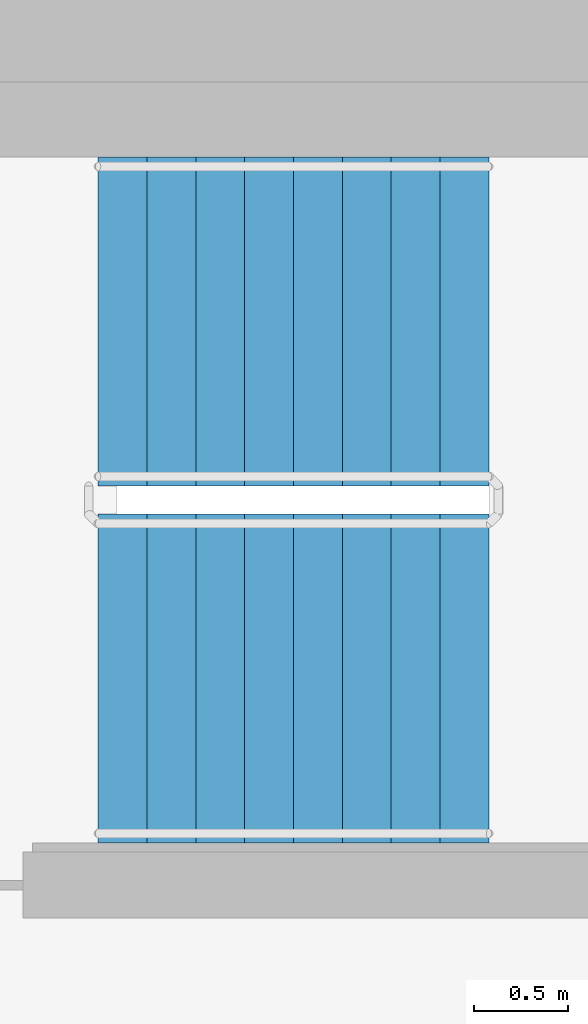
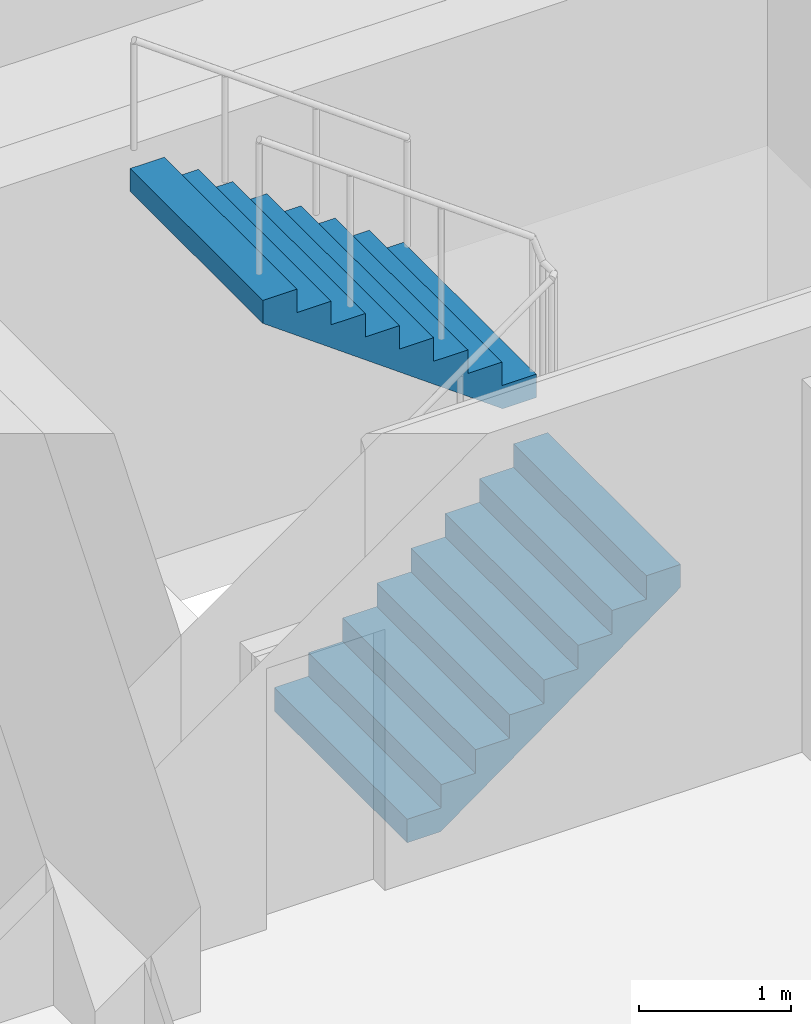
# One storey, part 13 of 18: 2 stair flights, 1 element without a shape of its own.
"""IFC4 building model written with IfcOpenShell, lengths in metres."""

from ifc_helpers import new_model, si_unit, direction, frame, origin, place, context, subcontext, project, spatial, faceted_brep, material, type_object, element, aggregate, save


model = new_model("IFC4")

# Units and contexts
model_context = context("Model", 3, precision=1e-05, world=origin(), true_north=direction((0.0, 1.0)))
body_context = subcontext(model_context, "Body", "Model", "MODEL_VIEW")
ifc_project = project(units=[si_unit("LENGTHUNIT", "METRE"), si_unit("AREAUNIT", "SQUARE_METRE"), si_unit("VOLUMEUNIT", "CUBIC_METRE"), si_unit("PLANEANGLEUNIT", "RADIAN"), si_unit("MASSUNIT", "GRAM", prefix="KILO")], contexts=[model_context])

# Site, building, storey
site_placement = place(None, origin())
site = spatial("IfcSite", under=ifc_project, at=site_placement, CompositionType="ELEMENT")
building_placement = place(site_placement, origin())
building = spatial("IfcBuilding", under=site, at=building_placement, Name="Ipe Terrace Towers", CompositionType="ELEMENT")
storey_placement = place(building_placement, frame((0.0, 0.0, 164.300048828125)))
storey = spatial("IfcBuildingStorey", under=building, at=storey_placement, Name="L45", CompositionType="ELEMENT", Elevation=164.300048828125)

# Stair, stair flights
ifc_material_1 = material(Name="Concrete C30/37", Category="concrete")
stair_type = type_object("IfcStairType", Name="Protected exit stair", PredefinedType="HALF_TURN_STAIR", material=ifc_material_1)
stair_placement = place(storey_placement, origin())
stair = element("IfcStair", 1, at=stair_placement, inside=storey, type_object=stair_type, Name="L45 Exit stair T1-C1", PredefinedType="HALF_TURN_STAIR")
ifc_material_2 = material(Name="Concrete C30/37", Category="concrete")
stair_flight_type = type_object("IfcStairFlightType", Name="Exit stair flight 1750", PredefinedType="STRAIGHT", material=ifc_material_2)
stair_flight_1_placement = place(storey_placement, frame((-26.300048828125, 2.77490234375, 0.0), z_axis=(0.0, 0.0, 1.0), x_axis=(1.0, 0.0, 0.0)))
stair_flight_1 = element("IfcStairFlight", 2, at=stair_flight_1_placement, type_object=stair_flight_type, Name="T1-ST1 flight 1", NumberOfRisers=9, NumberOfTreads=8, PredefinedType="STRAIGHT", RiserHeight=0.188888889, TreadLength=0.26, context=body_context, shape_type="Brep", body=[
    faceted_brep([(0.255126953125, -0.875, 0.0), (2.080078125, -0.875, 1.325927734375), (2.080078125, -0.875, 1.51123046875), (1.820068359375, -0.875, 1.51123046875), (1.820068359375, -0.875, 1.322265625), (1.56005859375, -0.875, 1.322265625), (1.56005859375, -0.875, 1.13330078125), (1.300048828125, -0.875, 1.13330078125), (1.300048828125, -0.875, 0.9443359375), (1.0400390625, -0.875, 0.9443359375), (1.0400390625, -0.875, 0.755615234375), (0.780029296875, -0.875, 0.755615234375), (0.780029296875, -0.875, 0.566650390625), (0.52001953125, -0.875, 0.566650390625), (0.52001953125, -0.875, 0.377685546875), (0.260009765625, -0.875, 0.377685546875), (0.260009765625, -0.875, 0.18896484375), (0.0, -0.875, 0.18896484375), (0.0, -0.875, 0.0), (0.0, 0.875, 0.0), (0.0, 0.875, 0.18896484375), (0.260009765625, 0.875, 0.18896484375), (0.260009765625, 0.875, 0.377685546875), (0.52001953125, 0.875, 0.377685546875), (0.52001953125, 0.875, 0.566650390625), (0.780029296875, 0.875, 0.566650390625), (0.780029296875, 0.875, 0.755615234375), (1.0400390625, 0.875, 0.755615234375), (1.0400390625, 0.875, 0.9443359375), (1.300048828125, 0.875, 0.9443359375), (1.300048828125, 0.875, 1.13330078125), (1.56005859375, 0.875, 1.13330078125), (1.56005859375, 0.875, 1.322265625), (1.820068359375, 0.875, 1.322265625), (1.820068359375, 0.875, 1.51123046875), (2.080078125, 0.875, 1.51123046875), (2.080078125, 0.875, 1.325927734375), (0.255126953125, 0.875, 0.0), (0.0, -0.300048828125, 0.18896484375), (0.0, -0.1201171875, 0.18896484375), (0.0, -0.06005859375, 0.18896484375), (0.0, -0.030029296875, 0.18896484375), (0.0, -0.010009765625, 0.18896484375), (0.0, 0.0, 0.18896484375), (0.0, 0.010009765625, 0.18896484375), (0.0, 0.030029296875, 0.18896484375), (0.0, 0.06005859375, 0.18896484375), (0.0, 0.1201171875, 0.18896484375), (0.0, 0.300048828125, 0.18896484375), (0.0, 0.300048828125, 0.0), (0.0, 0.1201171875, 0.0), (0.0, 0.06005859375, 0.0), (0.0, 0.030029296875, 0.0), (0.0, 0.010009765625, 0.0), (0.0, 0.0, 0.0), (0.0, -0.010009765625, 0.0), (0.0, -0.030029296875, 0.0), (0.0, -0.06005859375, 0.0), (0.0, -0.1201171875, 0.0), (0.0, -0.300048828125, 0.0), (0.260009765625, -0.300048828125, 0.18896484375), (0.260009765625, -0.1201171875, 0.18896484375), (0.260009765625, -0.06005859375, 0.18896484375), (0.260009765625, -0.030029296875, 0.18896484375), (0.260009765625, -0.010009765625, 0.18896484375), (0.260009765625, 0.0, 0.18896484375), (0.260009765625, 0.010009765625, 0.18896484375), (0.260009765625, 0.030029296875, 0.18896484375), (0.260009765625, 0.06005859375, 0.18896484375), (0.260009765625, 0.1201171875, 0.18896484375), (0.260009765625, 0.300048828125, 0.18896484375), (0.260009765625, -0.300048828125, 0.377685546875), (0.260009765625, -0.1201171875, 0.377685546875), (0.260009765625, -0.06005859375, 0.377685546875), (0.260009765625, -0.030029296875, 0.377685546875), (0.260009765625, -0.010009765625, 0.377685546875), (0.260009765625, 0.0, 0.377685546875), (0.260009765625, 0.010009765625, 0.377685546875), (0.260009765625, 0.030029296875, 0.377685546875), (0.260009765625, 0.06005859375, 0.377685546875), (0.260009765625, 0.1201171875, 0.377685546875), (0.260009765625, 0.300048828125, 0.377685546875), (0.52001953125, -0.300048828125, 0.377685546875), (0.52001953125, -0.1201171875, 0.377685546875), (0.52001953125, -0.06005859375, 0.377685546875), (0.52001953125, -0.030029296875, 0.377685546875), (0.52001953125, -0.010009765625, 0.377685546875), (0.52001953125, 0.0, 0.377685546875), (0.52001953125, 0.010009765625, 0.377685546875), (0.52001953125, 0.030029296875, 0.377685546875), (0.52001953125, 0.06005859375, 0.377685546875), (0.52001953125, 0.1201171875, 0.377685546875), (0.52001953125, 0.300048828125, 0.377685546875), (0.52001953125, -0.300048828125, 0.566650390625), (0.52001953125, -0.1201171875, 0.566650390625), (0.52001953125, -0.06005859375, 0.566650390625), (0.52001953125, -0.030029296875, 0.566650390625), (0.52001953125, -0.010009765625, 0.566650390625), (0.52001953125, 0.0, 0.566650390625), (0.52001953125, 0.010009765625, 0.566650390625), (0.52001953125, 0.030029296875, 0.566650390625), (0.52001953125, 0.06005859375, 0.566650390625), (0.52001953125, 0.1201171875, 0.566650390625), (0.52001953125, 0.300048828125, 0.566650390625), (0.780029296875, -0.300048828125, 0.566650390625), (0.780029296875, -0.1201171875, 0.566650390625), (0.780029296875, -0.06005859375, 0.566650390625), (0.780029296875, -0.030029296875, 0.566650390625), (0.780029296875, -0.010009765625, 0.566650390625), (0.780029296875, 0.0, 0.566650390625), (0.780029296875, 0.010009765625, 0.566650390625), (0.780029296875, 0.030029296875, 0.566650390625), (0.780029296875, 0.06005859375, 0.566650390625), (0.780029296875, 0.1201171875, 0.566650390625), (0.780029296875, 0.300048828125, 0.566650390625), (0.780029296875, -0.300048828125, 0.755615234375), (0.780029296875, -0.1201171875, 0.755615234375), (0.780029296875, -0.06005859375, 0.755615234375), (0.780029296875, -0.030029296875, 0.755615234375), (0.780029296875, -0.010009765625, 0.755615234375), (0.780029296875, 0.0, 0.755615234375), (0.780029296875, 0.010009765625, 0.755615234375), (0.780029296875, 0.030029296875, 0.755615234375), (0.780029296875, 0.06005859375, 0.755615234375), (0.780029296875, 0.1201171875, 0.755615234375), (0.780029296875, 0.300048828125, 0.755615234375), (1.0400390625, -0.300048828125, 0.755615234375), (1.0400390625, -0.1201171875, 0.755615234375), (1.0400390625, -0.06005859375, 0.755615234375), (1.0400390625, -0.030029296875, 0.755615234375), (1.0400390625, -0.010009765625, 0.755615234375), (1.0400390625, 0.0, 0.755615234375), (1.0400390625, 0.010009765625, 0.755615234375), (1.0400390625, 0.030029296875, 0.755615234375), (1.0400390625, 0.06005859375, 0.755615234375), (1.0400390625, 0.1201171875, 0.755615234375), (1.0400390625, 0.300048828125, 0.755615234375), (1.0400390625, -0.300048828125, 0.9443359375), (1.0400390625, -0.1201171875, 0.9443359375), (1.0400390625, -0.06005859375, 0.9443359375), (1.0400390625, -0.030029296875, 0.9443359375), (1.0400390625, -0.010009765625, 0.9443359375), (1.0400390625, 0.0, 0.9443359375), (1.0400390625, 0.010009765625, 0.9443359375), (1.0400390625, 0.030029296875, 0.9443359375), (1.0400390625, 0.06005859375, 0.9443359375), (1.0400390625, 0.1201171875, 0.9443359375), (1.0400390625, 0.300048828125, 0.9443359375), (1.300048828125, -0.300048828125, 0.9443359375), (1.300048828125, -0.1201171875, 0.9443359375), (1.300048828125, -0.06005859375, 0.9443359375), (1.300048828125, -0.030029296875, 0.9443359375), (1.300048828125, -0.010009765625, 0.9443359375), (1.300048828125, 0.0, 0.9443359375), (1.300048828125, 0.010009765625, 0.9443359375), (1.300048828125, 0.030029296875, 0.9443359375), (1.300048828125, 0.06005859375, 0.9443359375), (1.300048828125, 0.1201171875, 0.9443359375), (1.300048828125, 0.300048828125, 0.9443359375), (1.300048828125, -0.300048828125, 1.13330078125), (1.300048828125, -0.1201171875, 1.13330078125), (1.300048828125, -0.06005859375, 1.13330078125), (1.300048828125, -0.030029296875, 1.13330078125), (1.300048828125, -0.010009765625, 1.13330078125), (1.300048828125, 0.0, 1.13330078125), (1.300048828125, 0.010009765625, 1.13330078125), (1.300048828125, 0.030029296875, 1.13330078125), (1.300048828125, 0.06005859375, 1.13330078125), (1.300048828125, 0.1201171875, 1.13330078125), (1.300048828125, 0.300048828125, 1.13330078125), (1.56005859375, -0.300048828125, 1.13330078125), (1.56005859375, -0.1201171875, 1.13330078125), (1.56005859375, -0.06005859375, 1.13330078125), (1.56005859375, -0.030029296875, 1.13330078125), (1.56005859375, -0.010009765625, 1.13330078125), (1.56005859375, 0.0, 1.13330078125), (1.56005859375, 0.010009765625, 1.13330078125), (1.56005859375, 0.030029296875, 1.13330078125), (1.56005859375, 0.06005859375, 1.13330078125), (1.56005859375, 0.1201171875, 1.13330078125), (1.56005859375, 0.300048828125, 1.13330078125), (1.56005859375, -0.300048828125, 1.322265625), (1.56005859375, -0.1201171875, 1.322265625), (1.56005859375, -0.06005859375, 1.322265625), (1.56005859375, -0.030029296875, 1.322265625), (1.56005859375, -0.010009765625, 1.322265625), (1.56005859375, 0.0, 1.322265625), (1.56005859375, 0.010009765625, 1.322265625), (1.56005859375, 0.030029296875, 1.322265625), (1.56005859375, 0.06005859375, 1.322265625), (1.56005859375, 0.1201171875, 1.322265625), (1.56005859375, 0.300048828125, 1.322265625), (1.820068359375, -0.300048828125, 1.322265625), (1.820068359375, -0.1201171875, 1.322265625), (1.820068359375, -0.06005859375, 1.322265625), (1.820068359375, -0.030029296875, 1.322265625), (1.820068359375, -0.010009765625, 1.322265625), (1.820068359375, 0.0, 1.322265625), (1.820068359375, 0.010009765625, 1.322265625), (1.820068359375, 0.030029296875, 1.322265625), (1.820068359375, 0.06005859375, 1.322265625), (1.820068359375, 0.1201171875, 1.322265625), (1.820068359375, 0.300048828125, 1.322265625), (1.820068359375, -0.300048828125, 1.51123046875), (1.820068359375, -0.1201171875, 1.51123046875), (1.820068359375, -0.06005859375, 1.51123046875), (1.820068359375, -0.030029296875, 1.51123046875), (1.820068359375, -0.010009765625, 1.51123046875), (1.820068359375, 0.0, 1.51123046875), (1.820068359375, 0.010009765625, 1.51123046875), (1.820068359375, 0.030029296875, 1.51123046875), (1.820068359375, 0.06005859375, 1.51123046875), (1.820068359375, 0.1201171875, 1.51123046875), (1.820068359375, 0.300048828125, 1.51123046875), (2.080078125, -0.300048828125, 1.51123046875), (2.080078125, -0.1201171875, 1.51123046875), (2.080078125, -0.06005859375, 1.51123046875), (2.080078125, -0.030029296875, 1.51123046875), (2.080078125, -0.010009765625, 1.51123046875), (2.080078125, 0.0, 1.51123046875), (2.080078125, 0.010009765625, 1.51123046875), (2.080078125, 0.030029296875, 1.51123046875), (2.080078125, 0.06005859375, 1.51123046875), (2.080078125, 0.1201171875, 1.51123046875), (2.080078125, 0.300048828125, 1.51123046875), (2.080078125, -0.300048828125, 1.325927734375), (2.080078125, -0.1201171875, 1.325927734375), (2.080078125, -0.06005859375, 1.325927734375), (2.080078125, -0.030029296875, 1.325927734375), (2.080078125, -0.010009765625, 1.325927734375), (2.080078125, 0.0, 1.325927734375), (2.080078125, 0.010009765625, 1.325927734375), (2.080078125, 0.030029296875, 1.325927734375), (2.080078125, 0.06005859375, 1.325927734375), (2.080078125, 0.1201171875, 1.325927734375), (2.080078125, 0.300048828125, 1.325927734375), (0.255126953125, -0.300048828125, 0.0), (0.255126953125, -0.1201171875, 0.0), (0.255126953125, -0.06005859375, 0.0), (0.255126953125, -0.030029296875, 0.0), (0.255126953125, -0.010009765625, 0.0), (0.255126953125, 0.0, 0.0), (0.255126953125, 0.010009765625, 0.0), (0.255126953125, 0.030029296875, 0.0), (0.255126953125, 0.06005859375, 0.0), (0.255126953125, 0.1201171875, 0.0), (0.255126953125, 0.300048828125, 0.0)], [[[0, 1, 2, 3, 4, 5, 6, 7, 8, 9, 10, 11, 12, 13, 14, 15, 16, 17, 18]], [[19, 20, 21, 22, 23, 24, 25, 26, 27, 28, 29, 30, 31, 32, 33, 34, 35, 36, 37]], [[17, 38, 39, 40, 41, 42, 43, 44, 45, 46, 47, 48, 20, 19, 49, 50, 51, 52, 53, 54, 55, 56, 57, 58, 59, 18]], [[16, 60, 61, 62, 63, 64, 65, 66, 67, 68, 69, 70, 21, 20, 48, 47, 46, 45, 44, 43, 42, 41, 40, 39, 38, 17]], [[15, 71, 72, 73, 74, 75, 76, 77, 78, 79, 80, 81, 22, 21, 70, 69, 68, 67, 66, 65, 64, 63, 62, 61, 60, 16]], [[14, 82, 83, 84, 85, 86, 87, 88, 89, 90, 91, 92, 23, 22, 81, 80, 79, 78, 77, 76, 75, 74, 73, 72, 71, 15]], [[13, 93, 94, 95, 96, 97, 98, 99, 100, 101, 102, 103, 24, 23, 92, 91, 90, 89, 88, 87, 86, 85, 84, 83, 82, 14]], [[12, 104, 105, 106, 107, 108, 109, 110, 111, 112, 113, 114, 25, 24, 103, 102, 101, 100, 99, 98, 97, 96, 95, 94, 93, 13]], [[11, 115, 116, 117, 118, 119, 120, 121, 122, 123, 124, 125, 26, 25, 114, 113, 112, 111, 110, 109, 108, 107, 106, 105, 104, 12]], [[10, 126, 127, 128, 129, 130, 131, 132, 133, 134, 135, 136, 27, 26, 125, 124, 123, 122, 121, 120, 119, 118, 117, 116, 115, 11]], [[9, 137, 138, 139, 140, 141, 142, 143, 144, 145, 146, 147, 28, 27, 136, 135, 134, 133, 132, 131, 130, 129, 128, 127, 126, 10]], [[8, 148, 149, 150, 151, 152, 153, 154, 155, 156, 157, 158, 29, 28, 147, 146, 145, 144, 143, 142, 141, 140, 139, 138, 137, 9]], [[7, 159, 160, 161, 162, 163, 164, 165, 166, 167, 168, 169, 30, 29, 158, 157, 156, 155, 154, 153, 152, 151, 150, 149, 148, 8]], [[6, 170, 171, 172, 173, 174, 175, 176, 177, 178, 179, 180, 31, 30, 169, 168, 167, 166, 165, 164, 163, 162, 161, 160, 159, 7]], [[5, 181, 182, 183, 184, 185, 186, 187, 188, 189, 190, 191, 32, 31, 180, 179, 178, 177, 176, 175, 174, 173, 172, 171, 170, 6]], [[4, 192, 193, 194, 195, 196, 197, 198, 199, 200, 201, 202, 33, 32, 191, 190, 189, 188, 187, 186, 185, 184, 183, 182, 181, 5]], [[3, 203, 204, 205, 206, 207, 208, 209, 210, 211, 212, 213, 34, 33, 202, 201, 200, 199, 198, 197, 196, 195, 194, 193, 192, 4]], [[2, 214, 215, 216, 217, 218, 219, 220, 221, 222, 223, 224, 35, 34, 213, 212, 211, 210, 209, 208, 207, 206, 205, 204, 203, 3]], [[1, 225, 226, 227, 228, 229, 230, 231, 232, 233, 234, 235, 36, 35, 224, 223, 222, 221, 220, 219, 218, 217, 216, 215, 214, 2]], [[0, 236, 237, 238, 239, 240, 241, 242, 243, 244, 245, 246, 37, 36, 235, 234, 233, 232, 231, 230, 229, 228, 227, 226, 225, 1]], [[18, 59, 58, 57, 56, 55, 54, 53, 52, 51, 50, 49, 19, 37, 246, 245, 244, 243, 242, 241, 240, 239, 238, 237, 236, 0]]]),
])
stair_flight_2_placement = place(storey_placement, frame((-24.219970703125, 4.675048828125, 1.699951171875), z_axis=(0.0, 0.0, 1.0), x_axis=(-1.0, 0.0, 0.0)))
stair_flight_2 = element("IfcStairFlight", 3, at=stair_flight_2_placement, type_object=stair_flight_type, Name="T1-ST1 flight 2", NumberOfRisers=9, NumberOfTreads=8, PredefinedType="STRAIGHT", RiserHeight=0.188888889, TreadLength=0.26, context=body_context, shape_type="Brep", body=[
    faceted_brep([(0.255126953125, -0.875, 0.0), (2.080078125, -0.875, 1.325927734375), (2.080078125, -0.875, 1.51123046875), (1.820068359375, -0.875, 1.51123046875), (1.820068359375, -0.875, 1.322265625), (1.56005859375, -0.875, 1.322265625), (1.56005859375, -0.875, 1.13330078125), (1.300048828125, -0.875, 1.13330078125), (1.300048828125, -0.875, 0.9443359375), (1.0400390625, -0.875, 0.9443359375), (1.0400390625, -0.875, 0.755615234375), (0.780029296875, -0.875, 0.755615234375), (0.780029296875, -0.875, 0.566650390625), (0.52001953125, -0.875, 0.566650390625), (0.52001953125, -0.875, 0.377685546875), (0.260009765625, -0.875, 0.377685546875), (0.260009765625, -0.875, 0.18896484375), (0.0, -0.875, 0.18896484375), (0.0, -0.875, 0.0), (0.0, 0.875, 0.0), (0.0, 0.875, 0.18896484375), (0.260009765625, 0.875, 0.18896484375), (0.260009765625, 0.875, 0.377685546875), (0.52001953125, 0.875, 0.377685546875), (0.52001953125, 0.875, 0.566650390625), (0.780029296875, 0.875, 0.566650390625), (0.780029296875, 0.875, 0.755615234375), (1.0400390625, 0.875, 0.755615234375), (1.0400390625, 0.875, 0.9443359375), (1.300048828125, 0.875, 0.9443359375), (1.300048828125, 0.875, 1.13330078125), (1.56005859375, 0.875, 1.13330078125), (1.56005859375, 0.875, 1.322265625), (1.820068359375, 0.875, 1.322265625), (1.820068359375, 0.875, 1.51123046875), (2.080078125, 0.875, 1.51123046875), (2.080078125, 0.875, 1.325927734375), (0.255126953125, 0.875, 0.0), (0.0, -0.300048828125, 0.18896484375), (0.0, -0.1201171875, 0.18896484375), (0.0, -0.06005859375, 0.18896484375), (0.0, -0.030029296875, 0.18896484375), (0.0, -0.010009765625, 0.18896484375), (0.0, 0.0, 0.18896484375), (0.0, 0.010009765625, 0.18896484375), (0.0, 0.030029296875, 0.18896484375), (0.0, 0.06005859375, 0.18896484375), (0.0, 0.1201171875, 0.18896484375), (0.0, 0.300048828125, 0.18896484375), (0.0, 0.300048828125, 0.0), (0.0, 0.1201171875, 0.0), (0.0, 0.06005859375, 0.0), (0.0, 0.030029296875, 0.0), (0.0, 0.010009765625, 0.0), (0.0, 0.0, 0.0), (0.0, -0.010009765625, 0.0), (0.0, -0.030029296875, 0.0), (0.0, -0.06005859375, 0.0), (0.0, -0.1201171875, 0.0), (0.0, -0.300048828125, 0.0), (0.260009765625, -0.300048828125, 0.18896484375), (0.260009765625, -0.1201171875, 0.18896484375), (0.260009765625, -0.06005859375, 0.18896484375), (0.260009765625, -0.030029296875, 0.18896484375), (0.260009765625, -0.010009765625, 0.18896484375), (0.260009765625, 0.0, 0.18896484375), (0.260009765625, 0.010009765625, 0.18896484375), (0.260009765625, 0.030029296875, 0.18896484375), (0.260009765625, 0.06005859375, 0.18896484375), (0.260009765625, 0.1201171875, 0.18896484375), (0.260009765625, 0.300048828125, 0.18896484375), (0.260009765625, -0.300048828125, 0.377685546875), (0.260009765625, -0.1201171875, 0.377685546875), (0.260009765625, -0.06005859375, 0.377685546875), (0.260009765625, -0.030029296875, 0.377685546875), (0.260009765625, -0.010009765625, 0.377685546875), (0.260009765625, 0.0, 0.377685546875), (0.260009765625, 0.010009765625, 0.377685546875), (0.260009765625, 0.030029296875, 0.377685546875), (0.260009765625, 0.06005859375, 0.377685546875), (0.260009765625, 0.1201171875, 0.377685546875), (0.260009765625, 0.300048828125, 0.377685546875), (0.52001953125, -0.300048828125, 0.377685546875), (0.52001953125, -0.1201171875, 0.377685546875), (0.52001953125, -0.06005859375, 0.377685546875), (0.52001953125, -0.030029296875, 0.377685546875), (0.52001953125, -0.010009765625, 0.377685546875), (0.52001953125, 0.0, 0.377685546875), (0.52001953125, 0.010009765625, 0.377685546875), (0.52001953125, 0.030029296875, 0.377685546875), (0.52001953125, 0.06005859375, 0.377685546875), (0.52001953125, 0.1201171875, 0.377685546875), (0.52001953125, 0.300048828125, 0.377685546875), (0.52001953125, -0.300048828125, 0.566650390625), (0.52001953125, -0.1201171875, 0.566650390625), (0.52001953125, -0.06005859375, 0.566650390625), (0.52001953125, -0.030029296875, 0.566650390625), (0.52001953125, -0.010009765625, 0.566650390625), (0.52001953125, 0.0, 0.566650390625), (0.52001953125, 0.010009765625, 0.566650390625), (0.52001953125, 0.030029296875, 0.566650390625), (0.52001953125, 0.06005859375, 0.566650390625), (0.52001953125, 0.1201171875, 0.566650390625), (0.52001953125, 0.300048828125, 0.566650390625), (0.780029296875, -0.300048828125, 0.566650390625), (0.780029296875, -0.1201171875, 0.566650390625), (0.780029296875, -0.06005859375, 0.566650390625), (0.780029296875, -0.030029296875, 0.566650390625), (0.780029296875, -0.010009765625, 0.566650390625), (0.780029296875, 0.0, 0.566650390625), (0.780029296875, 0.010009765625, 0.566650390625), (0.780029296875, 0.030029296875, 0.566650390625), (0.780029296875, 0.06005859375, 0.566650390625), (0.780029296875, 0.1201171875, 0.566650390625), (0.780029296875, 0.300048828125, 0.566650390625), (0.780029296875, -0.300048828125, 0.755615234375), (0.780029296875, -0.1201171875, 0.755615234375), (0.780029296875, -0.06005859375, 0.755615234375), (0.780029296875, -0.030029296875, 0.755615234375), (0.780029296875, -0.010009765625, 0.755615234375), (0.780029296875, 0.0, 0.755615234375), (0.780029296875, 0.010009765625, 0.755615234375), (0.780029296875, 0.030029296875, 0.755615234375), (0.780029296875, 0.06005859375, 0.755615234375), (0.780029296875, 0.1201171875, 0.755615234375), (0.780029296875, 0.300048828125, 0.755615234375), (1.0400390625, -0.300048828125, 0.755615234375), (1.0400390625, -0.1201171875, 0.755615234375), (1.0400390625, -0.06005859375, 0.755615234375), (1.0400390625, -0.030029296875, 0.755615234375), (1.0400390625, -0.010009765625, 0.755615234375), (1.0400390625, 0.0, 0.755615234375), (1.0400390625, 0.010009765625, 0.755615234375), (1.0400390625, 0.030029296875, 0.755615234375), (1.0400390625, 0.06005859375, 0.755615234375), (1.0400390625, 0.1201171875, 0.755615234375), (1.0400390625, 0.300048828125, 0.755615234375), (1.0400390625, -0.300048828125, 0.9443359375), (1.0400390625, -0.1201171875, 0.9443359375), (1.0400390625, -0.06005859375, 0.9443359375), (1.0400390625, -0.030029296875, 0.9443359375), (1.0400390625, -0.010009765625, 0.9443359375), (1.0400390625, 0.0, 0.9443359375), (1.0400390625, 0.010009765625, 0.9443359375), (1.0400390625, 0.030029296875, 0.9443359375), (1.0400390625, 0.06005859375, 0.9443359375), (1.0400390625, 0.1201171875, 0.9443359375), (1.0400390625, 0.300048828125, 0.9443359375), (1.300048828125, -0.300048828125, 0.9443359375), (1.300048828125, -0.1201171875, 0.9443359375), (1.300048828125, -0.06005859375, 0.9443359375), (1.300048828125, -0.030029296875, 0.9443359375), (1.300048828125, -0.010009765625, 0.9443359375), (1.300048828125, 0.0, 0.9443359375), (1.300048828125, 0.010009765625, 0.9443359375), (1.300048828125, 0.030029296875, 0.9443359375), (1.300048828125, 0.06005859375, 0.9443359375), (1.300048828125, 0.1201171875, 0.9443359375), (1.300048828125, 0.300048828125, 0.9443359375), (1.300048828125, -0.300048828125, 1.13330078125), (1.300048828125, -0.1201171875, 1.13330078125), (1.300048828125, -0.06005859375, 1.13330078125), (1.300048828125, -0.030029296875, 1.13330078125), (1.300048828125, -0.010009765625, 1.13330078125), (1.300048828125, 0.0, 1.13330078125), (1.300048828125, 0.010009765625, 1.13330078125), (1.300048828125, 0.030029296875, 1.13330078125), (1.300048828125, 0.06005859375, 1.13330078125), (1.300048828125, 0.1201171875, 1.13330078125), (1.300048828125, 0.300048828125, 1.13330078125), (1.56005859375, -0.300048828125, 1.13330078125), (1.56005859375, -0.1201171875, 1.13330078125), (1.56005859375, -0.06005859375, 1.13330078125), (1.56005859375, -0.030029296875, 1.13330078125), (1.56005859375, -0.010009765625, 1.13330078125), (1.56005859375, 0.0, 1.13330078125), (1.56005859375, 0.010009765625, 1.13330078125), (1.56005859375, 0.030029296875, 1.13330078125), (1.56005859375, 0.06005859375, 1.13330078125), (1.56005859375, 0.1201171875, 1.13330078125), (1.56005859375, 0.300048828125, 1.13330078125), (1.56005859375, -0.300048828125, 1.322265625), (1.56005859375, -0.1201171875, 1.322265625), (1.56005859375, -0.06005859375, 1.322265625), (1.56005859375, -0.030029296875, 1.322265625), (1.56005859375, -0.010009765625, 1.322265625), (1.56005859375, 0.0, 1.322265625), (1.56005859375, 0.010009765625, 1.322265625), (1.56005859375, 0.030029296875, 1.322265625), (1.56005859375, 0.06005859375, 1.322265625), (1.56005859375, 0.1201171875, 1.322265625), (1.56005859375, 0.300048828125, 1.322265625), (1.820068359375, -0.300048828125, 1.322265625), (1.820068359375, -0.1201171875, 1.322265625), (1.820068359375, -0.06005859375, 1.322265625), (1.820068359375, -0.030029296875, 1.322265625), (1.820068359375, -0.010009765625, 1.322265625), (1.820068359375, 0.0, 1.322265625), (1.820068359375, 0.010009765625, 1.322265625), (1.820068359375, 0.030029296875, 1.322265625), (1.820068359375, 0.06005859375, 1.322265625), (1.820068359375, 0.1201171875, 1.322265625), (1.820068359375, 0.300048828125, 1.322265625), (1.820068359375, -0.300048828125, 1.51123046875), (1.820068359375, -0.1201171875, 1.51123046875), (1.820068359375, -0.06005859375, 1.51123046875), (1.820068359375, -0.030029296875, 1.51123046875), (1.820068359375, -0.010009765625, 1.51123046875), (1.820068359375, 0.0, 1.51123046875), (1.820068359375, 0.010009765625, 1.51123046875), (1.820068359375, 0.030029296875, 1.51123046875), (1.820068359375, 0.06005859375, 1.51123046875), (1.820068359375, 0.1201171875, 1.51123046875), (1.820068359375, 0.300048828125, 1.51123046875), (2.080078125, -0.300048828125, 1.51123046875), (2.080078125, -0.1201171875, 1.51123046875), (2.080078125, -0.06005859375, 1.51123046875), (2.080078125, -0.030029296875, 1.51123046875), (2.080078125, -0.010009765625, 1.51123046875), (2.080078125, 0.0, 1.51123046875), (2.080078125, 0.010009765625, 1.51123046875), (2.080078125, 0.030029296875, 1.51123046875), (2.080078125, 0.06005859375, 1.51123046875), (2.080078125, 0.1201171875, 1.51123046875), (2.080078125, 0.300048828125, 1.51123046875), (2.080078125, -0.300048828125, 1.325927734375), (2.080078125, -0.1201171875, 1.325927734375), (2.080078125, -0.06005859375, 1.325927734375), (2.080078125, -0.030029296875, 1.325927734375), (2.080078125, -0.010009765625, 1.325927734375), (2.080078125, 0.0, 1.325927734375), (2.080078125, 0.010009765625, 1.325927734375), (2.080078125, 0.030029296875, 1.325927734375), (2.080078125, 0.06005859375, 1.325927734375), (2.080078125, 0.1201171875, 1.325927734375), (2.080078125, 0.300048828125, 1.325927734375), (0.255126953125, -0.300048828125, 0.0), (0.255126953125, -0.1201171875, 0.0), (0.255126953125, -0.06005859375, 0.0), (0.255126953125, -0.030029296875, 0.0), (0.255126953125, -0.010009765625, 0.0), (0.255126953125, 0.0, 0.0), (0.255126953125, 0.010009765625, 0.0), (0.255126953125, 0.030029296875, 0.0), (0.255126953125, 0.06005859375, 0.0), (0.255126953125, 0.1201171875, 0.0), (0.255126953125, 0.300048828125, 0.0)], [[[0, 1, 2, 3, 4, 5, 6, 7, 8, 9, 10, 11, 12, 13, 14, 15, 16, 17, 18]], [[19, 20, 21, 22, 23, 24, 25, 26, 27, 28, 29, 30, 31, 32, 33, 34, 35, 36, 37]], [[17, 38, 39, 40, 41, 42, 43, 44, 45, 46, 47, 48, 20, 19, 49, 50, 51, 52, 53, 54, 55, 56, 57, 58, 59, 18]], [[16, 60, 61, 62, 63, 64, 65, 66, 67, 68, 69, 70, 21, 20, 48, 47, 46, 45, 44, 43, 42, 41, 40, 39, 38, 17]], [[15, 71, 72, 73, 74, 75, 76, 77, 78, 79, 80, 81, 22, 21, 70, 69, 68, 67, 66, 65, 64, 63, 62, 61, 60, 16]], [[14, 82, 83, 84, 85, 86, 87, 88, 89, 90, 91, 92, 23, 22, 81, 80, 79, 78, 77, 76, 75, 74, 73, 72, 71, 15]], [[13, 93, 94, 95, 96, 97, 98, 99, 100, 101, 102, 103, 24, 23, 92, 91, 90, 89, 88, 87, 86, 85, 84, 83, 82, 14]], [[12, 104, 105, 106, 107, 108, 109, 110, 111, 112, 113, 114, 25, 24, 103, 102, 101, 100, 99, 98, 97, 96, 95, 94, 93, 13]], [[11, 115, 116, 117, 118, 119, 120, 121, 122, 123, 124, 125, 26, 25, 114, 113, 112, 111, 110, 109, 108, 107, 106, 105, 104, 12]], [[10, 126, 127, 128, 129, 130, 131, 132, 133, 134, 135, 136, 27, 26, 125, 124, 123, 122, 121, 120, 119, 118, 117, 116, 115, 11]], [[9, 137, 138, 139, 140, 141, 142, 143, 144, 145, 146, 147, 28, 27, 136, 135, 134, 133, 132, 131, 130, 129, 128, 127, 126, 10]], [[8, 148, 149, 150, 151, 152, 153, 154, 155, 156, 157, 158, 29, 28, 147, 146, 145, 144, 143, 142, 141, 140, 139, 138, 137, 9]], [[7, 159, 160, 161, 162, 163, 164, 165, 166, 167, 168, 169, 30, 29, 158, 157, 156, 155, 154, 153, 152, 151, 150, 149, 148, 8]], [[6, 170, 171, 172, 173, 174, 175, 176, 177, 178, 179, 180, 31, 30, 169, 168, 167, 166, 165, 164, 163, 162, 161, 160, 159, 7]], [[5, 181, 182, 183, 184, 185, 186, 187, 188, 189, 190, 191, 32, 31, 180, 179, 178, 177, 176, 175, 174, 173, 172, 171, 170, 6]], [[4, 192, 193, 194, 195, 196, 197, 198, 199, 200, 201, 202, 33, 32, 191, 190, 189, 188, 187, 186, 185, 184, 183, 182, 181, 5]], [[3, 203, 204, 205, 206, 207, 208, 209, 210, 211, 212, 213, 34, 33, 202, 201, 200, 199, 198, 197, 196, 195, 194, 193, 192, 4]], [[2, 214, 215, 216, 217, 218, 219, 220, 221, 222, 223, 224, 35, 34, 213, 212, 211, 210, 209, 208, 207, 206, 205, 204, 203, 3]], [[1, 225, 226, 227, 228, 229, 230, 231, 232, 233, 234, 235, 36, 35, 224, 223, 222, 221, 220, 219, 218, 217, 216, 215, 214, 2]], [[0, 236, 237, 238, 239, 240, 241, 242, 243, 244, 245, 246, 37, 36, 235, 234, 233, 232, 231, 230, 229, 228, 227, 226, 225, 1]], [[18, 59, 58, 57, 56, 55, 54, 53, 52, 51, 50, 49, 19, 37, 246, 245, 244, 243, 242, 241, 240, 239, 238, 237, 236, 0]]]),
])
aggregate(stair, [stair_flight_1, stair_flight_2])

save(model, "model.ifc")
